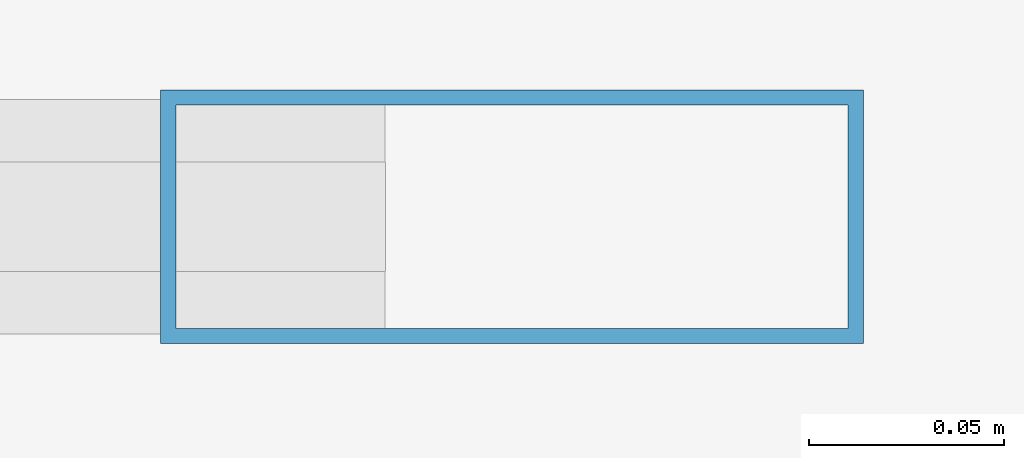
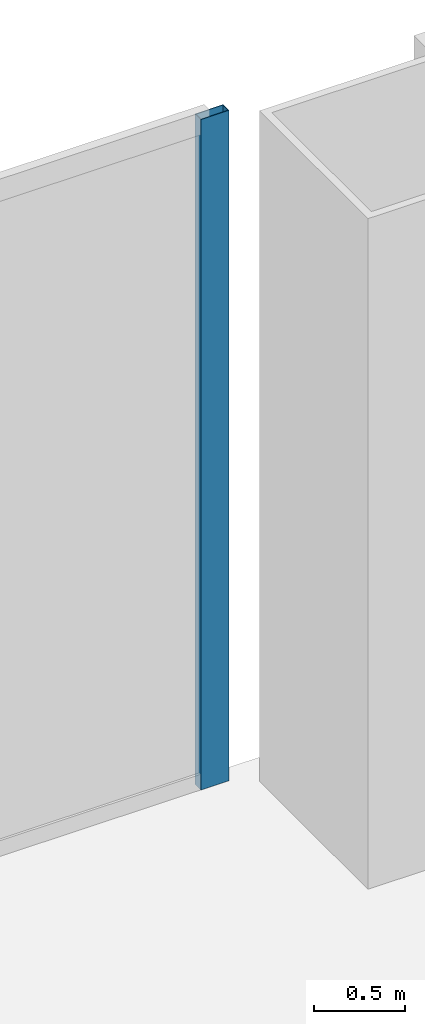
# One storey, part 30 of 42: 1 member, 1 element without a shape of its own.
"""IFC4 building model written with IfcOpenShell, lengths in metres."""

import ifcopenshell
import ifcopenshell.guid

model = None  # the IFC model being written
_history = None  # IfcOwnerHistory: only IFC2X3 demands one
_inside = {}  # id of a spatial element -> (the spatial element, [elements in it])
_under = {}  # id of a project, library or spatial element -> (it, [spatial elements below it])
_declared = {}  # id of a project -> (the project, [libraries it declares])
_typed = {}  # id of a type object -> (the type object, [elements of that type])
_made_of = {}  # id of a material, layer set ... -> (it, [elements and type objects made of it])


def new_model(schema):
    """Start an empty IFC model of exactly this schema.

    Asked for "IFC4X3", IfcOpenShell would pick the latest addendum, in which some entities
    have other attributes; the version numbers below select the first issue.
    IFC2X3 requires an IfcOwnerHistory on every rooted entity: one is made here for all.
    """
    global model, _history
    if schema == "IFC4X3":
        model = ifcopenshell.file(schema_version=(4, 3, 0, 0))
    else:
        model = ifcopenshell.file(schema=schema)
    _inside.clear()
    _under.clear()
    _declared.clear()
    _typed.clear()
    _made_of.clear()
    _history = None
    if model.schema == "IFC2X3":
        org = make("IfcOrganization", Name="unknown")
        user = make(
            "IfcPersonAndOrganization",
            ThePerson=make("IfcPerson", FamilyName="unknown"),
            TheOrganization=org,
        )
        app = make(
            "IfcApplication",
            ApplicationDeveloper=org,
            Version="unknown",
            ApplicationFullName="unknown",
            ApplicationIdentifier="unknown",
        )
        _history = make(
            "IfcOwnerHistory",
            OwningUser=user,
            OwningApplication=app,
            ChangeAction="ADDED",
            CreationDate=0,
        )
    return model


def make(cls, **values):
    """One entity of the class cls with the attributes given. An attribute that is None is left unset."""
    return model.create_entity(
        cls, **{name: value for name, value in values.items() if value is not None}
    )


def rooted(cls, **values):
    """An entity with a GlobalId (a new one), such as an element, a storey or a relation."""
    return make(cls, GlobalId=ifcopenshell.guid.new(), OwnerHistory=_history, **values)


def si_unit(unit_type, name, prefix=None):
    """IfcSIUnit, for example si_unit("LENGTHUNIT", "METRE", prefix="MILLI")."""
    return make("IfcSIUnit", UnitType=unit_type, Prefix=prefix, Name=name)


def assignment(units):
    """IfcUnitAssignment: the units of a project."""
    return None if units is None else make("IfcUnitAssignment", Units=units)


def point(xyz):
    """IfcCartesianPoint."""
    return None if xyz is None else make("IfcCartesianPoint", Coordinates=xyz)


def direction(xyz):
    """IfcDirection."""
    return None if xyz is None else make("IfcDirection", DirectionRatios=xyz)


def frame(location, z_axis=None, x_axis=None):
    """IfcAxis2Placement3D, a coordinate frame: its origin and axes. An axis left out is left unset."""
    return make(
        "IfcAxis2Placement3D",
        Location=point(location),
        Axis=direction(z_axis),
        RefDirection=direction(x_axis),
    )


def frame_2d(location, x_axis=None):
    """IfcAxis2Placement2D, a coordinate frame in the plane: its origin and x axis."""
    return make(
        "IfcAxis2Placement2D", Location=point(location), RefDirection=direction(x_axis)
    )


def origin():
    """The frame at (0, 0, 0) with its axes left unset."""
    return frame((0.0, 0.0, 0.0))


def origin_2d():
    """The frame at (0, 0) in the plane with its x axis left unset."""
    return frame_2d((0.0, 0.0))


def place(relative_to, where):
    """IfcLocalPlacement: puts the frame where relative to a parent placement (None: the world)."""
    return make(
        "IfcLocalPlacement", PlacementRelTo=relative_to, RelativePlacement=where
    )


def context(
    kind, dimensions, precision=None, world=None, true_north=None, identifier=None
):
    """IfcGeometricRepresentationContext, for example the 3D "Model" context."""
    return make(
        "IfcGeometricRepresentationContext",
        ContextIdentifier=identifier,
        ContextType=kind,
        CoordinateSpaceDimension=dimensions,
        Precision=precision,
        WorldCoordinateSystem=world,
        TrueNorth=true_north,
    )


def subcontext(parent, identifier, kind, view, scale=None):
    """IfcGeometricRepresentationSubContext, for example "Body" below "Model"."""
    return make(
        "IfcGeometricRepresentationSubContext",
        ContextIdentifier=identifier,
        ContextType=kind,
        ParentContext=parent,
        TargetScale=scale,
        TargetView=view,
    )


def project(units=None, contexts=None):
    """IfcProject with its units and contexts."""
    return rooted(
        "IfcProject",
        Name="project",
        RepresentationContexts=contexts,
        UnitsInContext=assignment(units),
    )


def spatial(cls, under=None, at=None, **own):
    """A site, building, storey or space (cls), placed at a placement, below another one or the project."""
    s = rooted(cls, ObjectPlacement=at, **own)
    if under is not None:
        _under.setdefault(under.id(), (under, []))[1].append(s)
    return s


def profile(cls, at=None, kind="AREA", **sizes):
    """A parametric profile (cls). Its sizes go by their IFC names, for example OverallWidth=200.0."""
    return make(cls, ProfileType=kind, Position=at, **sizes)


def hollow_rectangle(**sizes):
    """IfcRectangleHollowProfileDef."""
    return profile("IfcRectangleHollowProfileDef", **sizes)


def extrude(swept, where, along, depth):
    """IfcExtrudedAreaSolid: the profile swept, set in the frame where, extruded along a direction by depth."""
    return make(
        "IfcExtrudedAreaSolid",
        SweptArea=swept,
        Position=where,
        ExtrudedDirection=direction(along),
        Depth=depth,
    )


def shape(context_of_items, identifier, shape_type, items):
    """IfcShapeRepresentation: the items that make up one representation, for example the "Body"."""
    return make(
        "IfcShapeRepresentation",
        ContextOfItems=context_of_items,
        RepresentationIdentifier=identifier,
        RepresentationType=shape_type,
        Items=items,
    )


def source(mapping_origin, context_of_items, identifier, shape_type, items):
    """IfcRepresentationMap: a shape defined once, which mapped items show again and again."""
    return make(
        "IfcRepresentationMap",
        MappingOrigin=mapping_origin,
        MappedRepresentation=shape(context_of_items, identifier, shape_type, items),
    )


def transform(
    local_origin,
    x_axis=None,
    y_axis=None,
    z_axis=None,
    scale=None,
    scale2=None,
    scale3=None,
    uniform=True,
):
    """IfcCartesianTransformationOperator3D, or its non-uniform kind. x_axis, y_axis, z_axis: its Axis1, 2, 3."""
    if uniform:
        return make(
            "IfcCartesianTransformationOperator3D",
            Axis1=direction(x_axis),
            Axis2=direction(y_axis),
            LocalOrigin=point(local_origin),
            Scale=scale,
            Axis3=direction(z_axis),
        )
    return make(
        "IfcCartesianTransformationOperator3DnonUniform",
        Axis1=direction(x_axis),
        Axis2=direction(y_axis),
        LocalOrigin=point(local_origin),
        Scale=scale,
        Axis3=direction(z_axis),
        Scale2=scale2,
        Scale3=scale3,
    )


def mapped(mapping_source, mapping_target):
    """IfcMappedItem: shows the shape of a source again, moved by a transform."""
    return make(
        "IfcMappedItem", MappingSource=mapping_source, MappingTarget=mapping_target
    )


def material(Name=None, Category=None):
    """IfcMaterial."""
    return make("IfcMaterial", Name=Name, Category=Category)


def layer(
    of_material, thickness, ventilated=None, Name=None, Category=None, Priority=None
):
    """IfcMaterialLayer: one layer of a wall or slab, of a material (None: an air gap)."""
    return make(
        "IfcMaterialLayer",
        Material=of_material,
        LayerThickness=thickness,
        IsVentilated=ventilated,
        Name=Name,
        Category=Category,
        Priority=Priority,
    )


def layer_set(layers, Name=None):
    """IfcMaterialLayerSet."""
    return make("IfcMaterialLayerSet", MaterialLayers=layers, LayerSetName=Name)


def material_profile(
    of_material, cross_section, Name=None, Category=None, Priority=None
):
    """IfcMaterialProfile: a cross section and its material."""
    return make(
        "IfcMaterialProfile",
        Name=Name,
        Material=of_material,
        Profile=cross_section,
        Priority=Priority,
        Category=Category,
    )


def profile_set(profiles, Name=None, composite=None):
    """IfcMaterialProfileSet."""
    return make(
        "IfcMaterialProfileSet",
        Name=Name,
        MaterialProfiles=profiles,
        CompositeProfile=composite,
    )


def made_of(thing, what):
    """Note that an element or type object is made of a material, layer set ...; save() writes the relation."""
    if what is not None:
        _made_of.setdefault(what.id(), (what, []))[1].append(thing)
    return thing


def type_object(cls, material=None, **own):
    """A type object (cls), such as IfcWallType, which elements share."""
    return made_of(rooted(cls, **own), material)


def element(
    cls,
    number,
    at=None,
    inside=None,
    cuts=None,
    type_object=None,
    material=None,
    context=None,
    identifier="Body",
    shape_type=None,
    held_by="IfcProductDefinitionShape",
    body=None,
    shapes=None,
    **own,
):
    """One element of the class cls, such as IfcWall. Its Tag is "e" and its number.

    at: its placement. inside: the storey or other place that contains it. cuts: it is an
    opening in that element (IfcRelVoidsElement). A single representation is given by context,
    identifier, shape_type and body (its items); several are given by shapes. held_by: the class
    of the entity that holds the representations. save() writes the other relations.
    """
    e = rooted(cls, Tag="e%d" % number, ObjectPlacement=at, **own)
    if body is not None:
        shapes = [shape(context, identifier, shape_type, body)]
    if shapes is not None:
        e.Representation = make(held_by, Representations=shapes)
    if inside is not None:
        _inside.setdefault(inside.id(), (inside, []))[1].append(e)
    if cuts is not None:
        rooted(
            "IfcRelVoidsElement", RelatingBuildingElement=cuts, RelatedOpeningElement=e
        )
    if type_object is not None:
        _typed.setdefault(type_object.id(), (type_object, []))[1].append(e)
    return made_of(e, material)


def aggregate(whole, parts):
    """IfcRelAggregates: a whole, such as a stair, and the parts it consists of."""
    return rooted("IfcRelAggregates", RelatingObject=whole, RelatedObjects=parts)


def save(model, path):
    """Write the relations noted so far, then the file.

    IfcRelAggregates (storeys below a building ...), IfcRelContainedInSpatialStructure (elements
    in a storey), IfcRelDefinesByType, IfcRelAssociatesMaterial and IfcRelDeclares: one each for
    every whole, place, type object, material and project.
    """
    for whole, parts in _under.values():
        aggregate(whole, parts)
    for where, things in _inside.values():
        rooted(
            "IfcRelContainedInSpatialStructure",
            RelatedElements=things,
            RelatingStructure=where,
        )
    for kind, things in _typed.values():
        rooted("IfcRelDefinesByType", RelatedObjects=things, RelatingType=kind)
    for what, things in _made_of.values():
        rooted("IfcRelAssociatesMaterial", RelatedObjects=things, RelatingMaterial=what)
    for by, libraries in _declared.values():
        rooted("IfcRelDeclares", RelatingContext=by, RelatedDefinitions=libraries)
    model.write(path)


model = new_model("IFC4")

# Units and contexts
model_context = context("Model", 3, precision=1e-05, world=origin(), true_north=direction((0.0, 1.0)))
body_context = subcontext(model_context, "Body", "Model", "MODEL_VIEW")
ifc_project = project(units=[si_unit("LENGTHUNIT", "METRE"), si_unit("AREAUNIT", "SQUARE_METRE"), si_unit("VOLUMEUNIT", "CUBIC_METRE"), si_unit("PLANEANGLEUNIT", "RADIAN"), si_unit("MASSUNIT", "GRAM", prefix="KILO"), si_unit("THERMODYNAMICTEMPERATUREUNIT", "KELVIN"), si_unit("POWERUNIT", "WATT")], contexts=[model_context])

# Site, building, storey
site_placement = place(None, origin())
site = spatial("IfcSite", under=ifc_project, at=site_placement, CompositionType="ELEMENT")
building_placement = place(site_placement, origin())
building = spatial("IfcBuilding", under=site, at=building_placement, Name="Yunzhuo Pagoda Commons", CompositionType="ELEMENT")
storey_placement = place(building_placement, frame((0.0, 0.0, 4.800048828125)))
storey = spatial("IfcBuildingStorey", under=building, at=storey_placement, Name="L02", CompositionType="ELEMENT", Elevation=4.800048828125)

# Curtain wall, member
ifc_material = material(Name="Anodized aluminium 6063-T6", Category="aluminium")
ifc_layer = layer(ifc_material, 0.179931640625)
ifc_layer_set = layer_set([ifc_layer], Name="Anodized aluminium 6063-T6")
curtain_wall_type = type_object("IfcCurtainWallType", Name="CW-POD Waterfront Podium Curtain Wall", PredefinedType="NOTDEFINED", material=ifc_layer_set)
curtain_wall_placement = place(storey_placement, origin())
curtain_wall = element("IfcCurtainWall", 1, at=curtain_wall_placement, inside=storey, type_object=curtain_wall_type, Name="L02 curtain wall CW-L02-N5", PredefinedType="NOTDEFINED")
ifc_material_profile = material_profile(ifc_material, hollow_rectangle(XDim=0.06494140625, YDim=0.179931640625, WallThickness=0.00390625, at=origin_2d()), Name="Anodized aluminium 6063-T6")
ifc_profile_set = profile_set([ifc_material_profile], Name="Anodized aluminium 6063-T6")
member_type = type_object("IfcMemberType", Name="CW-POD-M Mullion RHS 180x65x4", PredefinedType="MULLION", material=ifc_profile_set)
shared_shape = source(origin(), body_context, "Body", "SweptSolid", [
    extrude(hollow_rectangle(XDim=0.06494140625, YDim=0.179931640625, WallThickness=0.00390625, at=origin_2d()), origin(), (0.0, 0.0, 1.0), 4.52001953125),
])
member_placement = place(storey_placement, frame((90.367431640625, 89.919921875, 0.0), z_axis=(0.0, 0.0, 1.0), x_axis=(0.0, 1.0, 0.0)))
member = element("IfcMember", 2, at=member_placement, type_object=member_type, Name="CW mullion 3", PredefinedType="MULLION", context=body_context, shape_type="MappedRepresentation", body=[
    mapped(shared_shape, transform((0.0, 0.0, 0.0), scale=1.0)),
])
aggregate(curtain_wall, [member])

save(model, "model.ifc")
